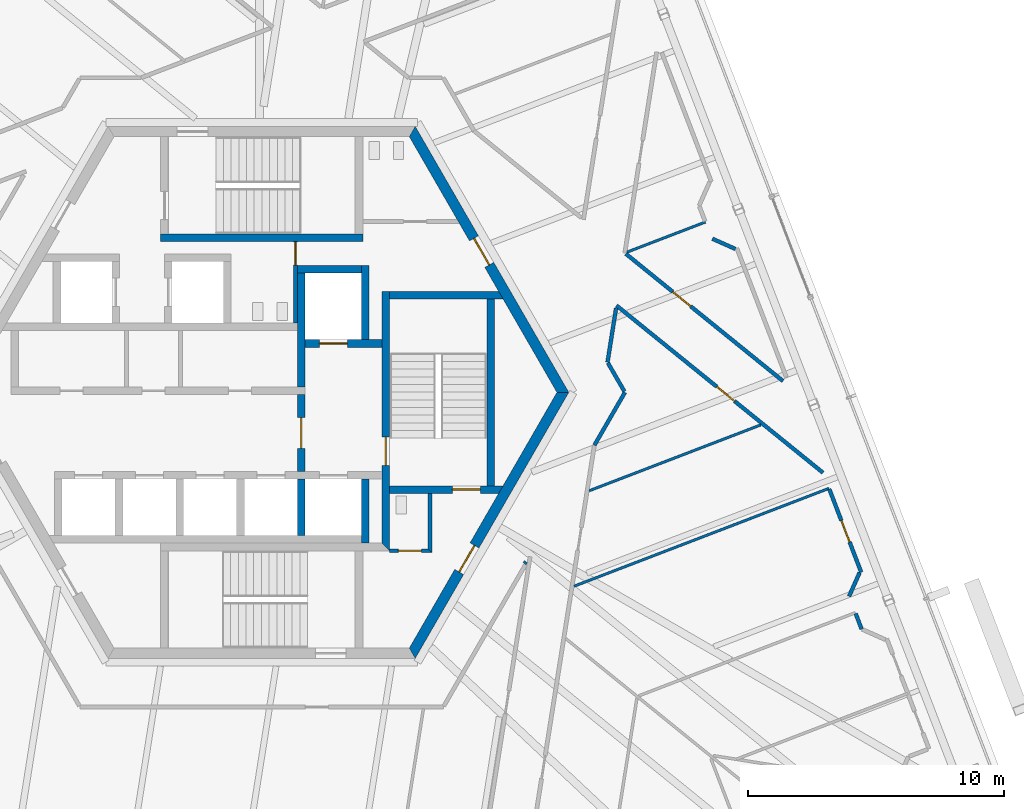
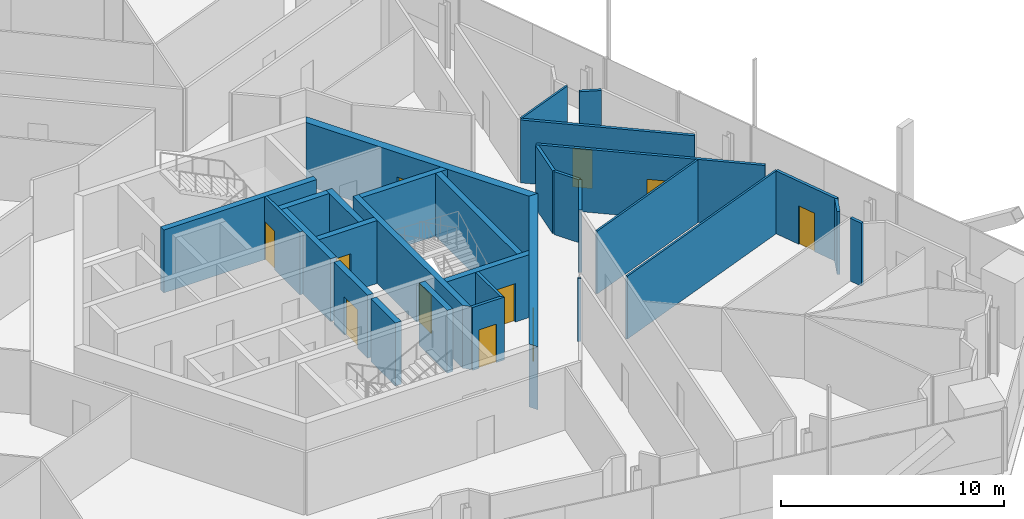
# One storey, part 14 of 23: 30 walls, 11 doors, 11 openings.
"""IFC4 building model written with IfcOpenShell, lengths in metres."""

from ifc_helpers import new_model, si_unit, direction, frame, frame_2d, origin, place, context, subcontext, project, spatial, polyline, rectangle, outline, extrude, source, transform, mapped, material, layer, layer_set, type_object, element, fill, save


model = new_model("IFC4")

# Units and contexts
model_context = context("Model", 3, precision=1e-05, world=origin(), true_north=direction((0.0, 1.0)))
body_context = subcontext(model_context, "Body", "Model", "MODEL_VIEW")
ifc_project = project(units=[si_unit("LENGTHUNIT", "METRE"), si_unit("AREAUNIT", "SQUARE_METRE"), si_unit("VOLUMEUNIT", "CUBIC_METRE"), si_unit("PLANEANGLEUNIT", "RADIAN"), si_unit("MASSUNIT", "GRAM", prefix="KILO")], contexts=[model_context])

# Site, building, storey
site_placement = place(None, origin())
site = spatial("IfcSite", under=ifc_project, at=site_placement, CompositionType="ELEMENT")
building_placement = place(site_placement, origin())
building = spatial("IfcBuilding", under=site, at=building_placement, Name="Triune Harvest Tower", CompositionType="ELEMENT")
storey_placement = place(building_placement, frame((0.0, 0.0, 167.699951171875)))
storey = spatial("IfcBuildingStorey", under=building, at=storey_placement, Name="L43", CompositionType="ELEMENT", Elevation=167.699951171875)

# Wall
ifc_material_1 = material(Name="Gypsum board on steel studs", Category="steel")
ifc_layer_1 = layer(ifc_material_1, 0.14990234375)
ifc_layer_set_1 = layer_set([ifc_layer_1], Name="Gypsum board on steel studs")
wall_type_1 = type_object("IfcWallType", Name="Fire Partition 150 mm", PredefinedType="PARTITIONING", material=ifc_layer_set_1)
wall_1_placement = place(storey_placement, frame((23.207763671875, -8.640380859375, 0.0), z_axis=(0.0, 0.0, 1.0), x_axis=(0.358077225815, -0.933691972951, 0.0)))
element("IfcWall", 1, at=wall_1_placement, inside=storey, type_object=wall_type_1, Name="Partition L43 016", PredefinedType="PARTITIONING", context=body_context, shape_type="SweptSolid", body=[
    extrude(rectangle(XDim=0.653076171875, YDim=0.14990234375, at=frame_2d((0.32666015625, 0.0))), origin(), (0.0, 0.0, 1.0), 3.43994140625),
])

# Wall, opening, door
wall_2_placement = place(storey_placement, frame((22.176513671875, -3.774658203125, 0.0), z_axis=(0.0, 0.0, 1.0), x_axis=(0.358294072162, -0.933608782014, 0.0)))
wall_2 = element("IfcWall", 2, at=wall_2_placement, inside=storey, type_object=wall_type_1, Name="Partition L43 022", PredefinedType="PARTITIONING", context=body_context, shape_type="SweptSolid", body=[
    extrude(rectangle(XDim=3.4873046875, YDim=0.14990234375, at=frame_2d((1.74365234375, 0.0))), origin(), (0.0, 0.0, 1.0), 3.43994140625),
])
opening_1_placement = place(wall_2_placement, frame((1.32373046875, 0.0, 0.0)))
opening_1 = element("IfcOpeningElement", 3, at=opening_1_placement, cuts=wall_2, Name="Opening L43-004", PredefinedType="OPENING", context=body_context, shape_type="SweptSolid", body=[
    extrude(rectangle(XDim=0.89990234375, YDim=2.10009765625, at=frame_2d((0.449951171875, 1.050048828125))), frame((0.0, 0.0849609375, 0.0), z_axis=(0.0, -1.0, 0.0), x_axis=(1.0, 0.0, 0.0)), (0.0, 0.0, 1.0), 0.169921875),
])
ifc_material_2 = material(Name="Timber and steel door set", Category="steel")
door_type_1 = type_object("IfcDoorType", Name="Single leaf door FD30 left hand 900 x 2100", OperationType="SINGLE_SWING_LEFT", PredefinedType="DOOR", material=ifc_material_2)
door_1_placement = place(opening_1_placement, origin())
door_1 = element("IfcDoor", 4, at=door_1_placement, inside=storey, type_object=door_type_1, Name="Door L43-004 Pantry 43.04", OperationType="SINGLE_SWING_LEFT", OverallHeight=2.10009765625, OverallWidth=0.89990234375, PredefinedType="DOOR", context=body_context, shape_type="SweptSolid", body=[
    extrude(rectangle(XDim=0.89990234375, YDim=2.10009765625, at=frame_2d((0.449951171875, 1.050048828125))), frame((0.0, 0.02490234375, 0.0), z_axis=(0.0, -1.0, 0.0), x_axis=(1.0, 0.0, 0.0)), (0.0, 0.0, 1.0), 0.050048828125),
])
fill(opening_1, door_1)

wall_3_placement = place(storey_placement, frame((13.864013671875, 3.393798828125, 0.0), z_axis=(0.0, 0.0, 1.0), x_axis=(0.777140815118, -0.629326746196, 0.0)))
wall_3 = element("IfcWall", 5, at=wall_3_placement, inside=storey, type_object=wall_type_1, Name="Partition L43 041", PredefinedType="PARTITIONING", context=body_context, shape_type="SweptSolid", body=[
    extrude(rectangle(XDim=10.38232421875, YDim=0.14990234375, at=frame_2d((5.191162109375, 0.0))), origin(), (0.0, 0.0, 1.0), 3.43994140625),
])
opening_2_placement = place(wall_3_placement, frame((5.035400390625, 0.0, 0.0)))
opening_2 = element("IfcOpeningElement", 6, at=opening_2_placement, cuts=wall_3, Name="Opening L43-005", PredefinedType="OPENING", context=body_context, shape_type="SweptSolid", body=[
    extrude(rectangle(XDim=0.89990234375, YDim=2.10009765625, at=frame_2d((0.449951171875, 1.050048828125))), frame((0.0, 0.0849609375, 0.0), z_axis=(0.0, -1.0, 0.0), x_axis=(1.0, 0.0, 0.0)), (0.0, 0.0, 1.0), 0.169921875),
])
door_2_placement = place(opening_2_placement, origin())
door_2 = element("IfcDoor", 7, at=door_2_placement, inside=storey, type_object=door_type_1, Name="Door L43-005 Pantry 43.05", OperationType="SINGLE_SWING_LEFT", OverallHeight=2.10009765625, OverallWidth=0.89990234375, PredefinedType="DOOR", context=body_context, shape_type="SweptSolid", body=[
    extrude(rectangle(XDim=0.89990234375, YDim=2.10009765625, at=frame_2d((0.449951171875, 1.050048828125))), frame((0.0, 0.02490234375, 0.0), z_axis=(0.0, -1.0, 0.0), x_axis=(1.0, 0.0, 0.0)), (0.0, 0.0, 1.0), 0.050048828125),
])
fill(opening_2, door_2)

wall_4_placement = place(storey_placement, frame((14.228271484375, 5.415283203125, 0.0), z_axis=(0.0, 0.0, 1.0), x_axis=(0.777122518115, -0.629349340064, 0.0)))
wall_4 = element("IfcWall", 8, at=wall_4_placement, inside=storey, type_object=wall_type_1, Name="Partition L43 045", PredefinedType="PARTITIONING", context=body_context, shape_type="SweptSolid", body=[
    extrude(rectangle(XDim=7.900390625, YDim=0.14990234375, at=frame_2d((3.9501953125, 0.0))), origin(), (0.0, 0.0, 1.0), 3.43994140625),
])
opening_3_placement = place(wall_4_placement, frame((2.36376953125, 0.0, 0.0)))
opening_3 = element("IfcOpeningElement", 9, at=opening_3_placement, cuts=wall_4, Name="Opening L43-006", PredefinedType="OPENING", context=body_context, shape_type="SweptSolid", body=[
    extrude(rectangle(XDim=0.89990234375, YDim=2.10009765625, at=frame_2d((0.449951171875, 1.050048828125))), frame((0.0, 0.0849609375, 0.0), z_axis=(0.0, -1.0, 0.0), x_axis=(1.0, 0.0, 0.0)), (0.0, 0.0, 1.0), 0.169921875),
])
door_3_placement = place(opening_3_placement, origin())
door_3 = element("IfcDoor", 10, at=door_3_placement, inside=storey, type_object=door_type_1, Name="Door L43-006 Print room 43.06", OperationType="SINGLE_SWING_LEFT", OverallHeight=2.10009765625, OverallWidth=0.89990234375, PredefinedType="DOOR", context=body_context, shape_type="SweptSolid", body=[
    extrude(rectangle(XDim=0.89990234375, YDim=2.10009765625, at=frame_2d((0.449951171875, 1.050048828125))), frame((0.0, 0.02490234375, 0.0), z_axis=(0.0, -1.0, 0.0), x_axis=(1.0, 0.0, 0.0)), (0.0, 0.0, 1.0), 0.050048828125),
])
fill(opening_3, door_3)

# Walls
wall_5_placement = place(storey_placement, frame((22.9501953125, -7.968994140625, 0.0), z_axis=(0.0, 0.0, 1.0), x_axis=(0.406808388385, 0.913513511197, 0.0)))
element("IfcWall", 11, at=wall_5_placement, inside=storey, type_object=wall_type_1, Name="Partition L43 127", PredefinedType="PARTITIONING", context=body_context, shape_type="SweptSolid", body=[
    extrude(rectangle(XDim=1.01416015625, YDim=0.14990234375, at=frame_2d((0.507080078125, 0.0))), origin(), (0.0, 0.0, 1.0), 3.43994140625),
])
wall_6_placement = place(storey_placement, frame((10.32958984375, -6.615234375, 0.0), z_axis=(0.0, 0.0, 1.0), x_axis=(-0.629270346667, -0.777186483931, 0.0)))
element("IfcWall", 12, at=wall_6_placement, inside=storey, type_object=wall_type_1, Name="Partition L43 144", PredefinedType="PARTITIONING", context=body_context, shape_type="SweptSolid", body=[
    extrude(rectangle(XDim=0.097412109375, YDim=0.14990234375, at=frame_2d((0.048828125, 0.0))), origin(), (0.0, 0.0, 1.0), 3.43994140625),
])
ifc_material_3 = material(Name="Gypsum board on steel studs", Category="steel")
ifc_layer_2 = layer(ifc_material_3, 0.10009765625)
ifc_layer_set_2 = layer_set([ifc_layer_2], Name="Gypsum board on steel studs")
wall_type_2 = type_object("IfcWallType", Name="Partition 100 mm", PredefinedType="PARTITIONING", material=ifc_layer_set_2)
wall_7_placement = place(storey_placement, frame((12.205810546875, -7.57373046875, 0.0), z_axis=(0.0, 0.0, 1.0), x_axis=(0.933588360997, 0.358347278782, 0.0)))
element("IfcWall", 13, at=wall_7_placement, inside=storey, type_object=wall_type_2, Name="Partition L43 085", PredefinedType="PARTITIONING", context=body_context, shape_type="SweptSolid", body=[
    extrude(rectangle(XDim=10.669677734375, YDim=0.10009765625, at=frame_2d((5.3349609375, 0.0))), origin(), (0.0, 0.0, 1.0), 3.43994140625),
])
wall_8_placement = place(storey_placement, frame((12.79638671875, -3.844482421875, 0.0), z_axis=(0.0, 0.0, 1.0), x_axis=(0.933583727979, 0.358359348772, 0.0)))
element("IfcWall", 14, at=wall_8_placement, inside=storey, type_object=wall_type_2, Name="Partition L43 086", PredefinedType="PARTITIONING", context=body_context, shape_type="SweptSolid", body=[
    extrude(rectangle(XDim=7.181396484375, YDim=0.10009765625, at=frame_2d((3.5908203125, 0.0))), origin(), (0.0, 0.0, 1.0), 3.43994140625),
])
wall_9_placement = place(storey_placement, frame((14.273193359375, 5.47900390625, 0.0), z_axis=(0.0, 0.0, 1.0), x_axis=(0.933598494983, 0.358320875983, 0.0)))
element("IfcWall", 15, at=wall_9_placement, inside=storey, type_object=wall_type_2, Name="Partition L43 089", PredefinedType="PARTITIONING", context=body_context, shape_type="SweptSolid", body=[
    extrude(rectangle(XDim=3.28125, YDim=0.10009765625, at=frame_2d((1.640625, 0.0))), origin(), (0.0, 0.0, 1.0), 3.43994140625),
])

# Wall, opening, door
ifc_material_4 = material(Name="Concrete 70 MPa", Category="concrete")
ifc_layer_3 = layer(ifc_material_4, 0.39990234375)
ifc_layer_set_3 = layer_set([ifc_layer_3], Name="Concrete 70 MPa")
wall_type_3 = type_object("IfcWallType", Name="Core wall 400", PredefinedType="SHEAR", material=ifc_layer_set_3)
shared_shape_1 = source(origin(), body_context, "Body", "SweptSolid", [
    extrude(outline(polyline([(-0.115478515625, -0.199951171875), (11.884521484375, -0.199951171875), (11.653564453125, 0.199951171875), (0.115478515625, 0.199951171875), (-0.115478515625, -0.199951171875)])), origin(), (0.0, 0.0, 1.0), 3.43994140625),
])
wall_10_placement = place(storey_placement, frame((11.76904296875, 0.0, 0.0), z_axis=(0.0, 0.0, 1.0), x_axis=(-0.499996592174, 0.866027371285, 0.0)))
wall_10 = element("IfcWall", 16, at=wall_10_placement, inside=storey, type_object=wall_type_3, Name="Hexagon 0 wall", PredefinedType="SHEAR", context=body_context, shape_type="MappedRepresentation", body=[
    mapped(shared_shape_1, transform((0.0, 0.0, 0.0), scale=1.0)),
])
opening_4_placement = place(wall_10_placement, frame((5.75048828125, 0.0, 0.0)))
opening_4 = element("IfcOpeningElement", 17, at=opening_4_placement, cuts=wall_10, Name="Opening CD-WCP", PredefinedType="OPENING", context=body_context, shape_type="SweptSolid", body=[
    extrude(rectangle(XDim=1.199951171875, YDim=2.10009765625, at=frame_2d((0.60009765625, 1.050048828125))), frame((0.0, 0.2099609375, 0.0), z_axis=(0.0, -1.0, 0.0), x_axis=(1.0, 0.0, 0.0)), (0.0, 0.0, 1.0), 0.419921875),
])
ifc_material_5 = material(Name="Steel S235", Category="steel")
door_type_2 = type_object("IfcDoorType", Name="Lobby door 1200 FD120", OperationType="SINGLE_SWING_LEFT", PredefinedType="DOOR", material=ifc_material_5)
door_4_placement = place(opening_4_placement, frame((1.199951171875, 0.0, 0.0), z_axis=(0.0, 0.0, 1.0), x_axis=(-1.0, 0.0, 0.0)))
door_4 = element("IfcDoor", 18, at=door_4_placement, inside=storey, type_object=door_type_2, Name="Door CD-WCP", OperationType="SINGLE_SWING_RIGHT", OverallHeight=2.10009765625, OverallWidth=1.199951171875, PredefinedType="DOOR", context=body_context, shape_type="SweptSolid", body=[
    extrude(rectangle(XDim=1.199951171875, YDim=2.10009765625, at=frame_2d((0.60009765625, 1.050048828125))), frame((0.0, 0.02490234375, 0.0), z_axis=(0.0, -1.0, 0.0), x_axis=(1.0, 0.0, 0.0)), (0.0, 0.0, 1.0), 0.050048828125),
])
fill(opening_4, door_4)

wall_11_placement = place(storey_placement, frame((5.884521484375, -10.1923828125, 0.0), z_axis=(0.0, 0.0, 1.0), x_axis=(0.499996592174, 0.866027371285, 0.0)))
wall_11 = element("IfcWall", 19, at=wall_11_placement, inside=storey, type_object=wall_type_3, Name="Hexagon 5 wall", PredefinedType="SHEAR", context=body_context, shape_type="MappedRepresentation", body=[
    mapped(shared_shape_1, transform((0.0, 0.0, 0.0), scale=1.0)),
])
opening_5_placement = place(wall_11_placement, frame((3.66455078125, 0.0, 0.0)))
opening_5 = element("IfcOpeningElement", 20, at=opening_5_placement, cuts=wall_11, Name="Opening CD-DP", PredefinedType="OPENING", context=body_context, shape_type="SweptSolid", body=[
    extrude(rectangle(XDim=1.199951171875, YDim=2.10009765625, at=frame_2d((0.60009765625, 1.050048828125))), frame((0.0, 0.2099609375, 0.0), z_axis=(0.0, -1.0, 0.0), x_axis=(1.0, 0.0, 0.0)), (0.0, 0.0, 1.0), 0.419921875),
])
ifc_material_6 = material(Name="Steel S235", Category="steel")
door_type_3 = type_object("IfcDoorType", Name="Stair door 1200 FD120", OperationType="SINGLE_SWING_LEFT", PredefinedType="DOOR", material=ifc_material_6)
door_5_placement = place(opening_5_placement, frame((1.199951171875, 0.0, 0.0), z_axis=(0.0, 0.0, 1.0), x_axis=(-1.0, 0.0, 0.0)))
door_5 = element("IfcDoor", 21, at=door_5_placement, inside=storey, type_object=door_type_3, Name="Door CD-DP", OperationType="SINGLE_SWING_RIGHT", OverallHeight=2.10009765625, OverallWidth=1.199951171875, PredefinedType="DOOR", context=body_context, shape_type="SweptSolid", body=[
    extrude(rectangle(XDim=1.199951171875, YDim=2.10009765625, at=frame_2d((0.60009765625, 1.050048828125))), frame((0.0, 0.02490234375, 0.0), z_axis=(0.0, -1.0, 0.0), x_axis=(1.0, 0.0, 0.0)), (0.0, 0.0, 1.0), 0.050048828125),
])
fill(opening_5, door_5)

# Walls
ifc_material_7 = material(Name="Concrete 70 MPa", Category="concrete")
ifc_layer_4 = layer(ifc_material_7, 0.300048828125)
ifc_layer_set_4 = layer_set([ifc_layer_4], Name="Concrete 70 MPa")
wall_type_4 = type_object("IfcWallType", Name="Core wall 300", PredefinedType="SHEAR", material=ifc_layer_set_4)
shared_shape_2 = source(origin(), body_context, "Body", "SweptSolid", [
    extrude(rectangle(XDim=2.5, YDim=0.300048828125, at=frame_2d((1.25, 0.0))), origin(), (0.0, 0.0, 1.0), 3.43994140625),
])
for number, where, z_axis, x_axis, name in (
    (22, (1.39990234375, 4.81005859375, 0.0), (0.0, 0.0, 1.0), (1.0, 0.0, 0.0), "Ff1 back wall"),
    (23, (4.050048828125, -5.889892578125, 0.0), (0.0, 0.0, 1.0), (0.0, 1.0, 0.0), "Ff2 east wall"),
):
    element("IfcWall", number, at=place(storey_placement, frame(where, z_axis=z_axis, x_axis=x_axis)), inside=storey, type_object=wall_type_4, Name=name, PredefinedType="SHEAR", context=body_context, shape_type="MappedRepresentation", body=[
        mapped(shared_shape_2, transform((0.0, 0.0, 0.0), scale=1.0)),
    ])
shared_shape_3 = source(origin(), body_context, "Body", "SweptSolid", [
    extrude(rectangle(XDim=4.449951171875, YDim=0.300048828125, at=frame_2d((2.22509765625, 0.0))), origin(), (0.0, 0.0, 1.0), 3.43994140625),
])
wall_12_placement = place(storey_placement, frame((1.550048828125, 0.2099609375, 0.0), z_axis=(0.0, 0.0, 1.0), x_axis=(0.0, 1.0, 0.0)))
element("IfcWall", 24, at=wall_12_placement, inside=storey, type_object=wall_type_4, Name="Ff1 west wall", PredefinedType="SHEAR", context=body_context, shape_type="MappedRepresentation", body=[
    mapped(shared_shape_3, transform((0.0, 0.0, 0.0), scale=1.0)),
])

# Wall, opening, door
shared_shape_4 = source(origin(), body_context, "Body", "SweptSolid", [
    extrude(rectangle(XDim=3.0, YDim=0.300048828125, at=frame_2d((1.5, 0.0))), origin(), (0.0, 0.0, 1.0), 3.43994140625),
])
wall_13_placement = place(storey_placement, frame((1.699951171875, 1.909912109375, 0.0), z_axis=(0.0, 0.0, 1.0), x_axis=(1.0, 0.0, 0.0)))
wall_13 = element("IfcWall", 25, at=wall_13_placement, inside=storey, type_object=wall_type_4, Name="Ff1 front wall", PredefinedType="SHEAR", context=body_context, shape_type="MappedRepresentation", body=[
    mapped(shared_shape_4, transform((0.0, 0.0, 0.0), scale=1.0)),
])
opening_6_placement = place(wall_13_placement, frame((0.550048828125, 0.0, 0.0)))
opening_6 = element("IfcOpeningElement", 26, at=opening_6_placement, cuts=wall_13, Name="Opening LD-FF1-43", PredefinedType="OPENING", context=body_context, shape_type="SweptSolid", body=[
    extrude(rectangle(XDim=1.10009765625, YDim=2.10009765625, at=frame_2d((0.550048828125, 1.050048828125))), frame((0.0, 0.16015625, 0.0), z_axis=(0.0, -1.0, 0.0), x_axis=(1.0, 0.0, 0.0)), (0.0, 0.0, 1.0), 0.320068359375),
])
ifc_material_8 = material(Name="Stainless steel AISI 304", Category="steel")
door_type_4 = type_object("IfcDoorType", Name="Landing door 1100 x 2100", OperationType="DOUBLE_DOOR_SLIDING", PredefinedType="DOOR", material=ifc_material_8)
door_6_placement = place(opening_6_placement, origin())
door_6 = element("IfcDoor", 27, at=door_6_placement, inside=storey, type_object=door_type_4, Name="Door LD-FF1-43", OperationType="DOUBLE_DOOR_SLIDING", OverallHeight=2.10009765625, OverallWidth=1.10009765625, PredefinedType="DOOR", context=body_context, shape_type="SweptSolid", body=[
    extrude(rectangle(XDim=1.10009765625, YDim=2.10009765625, at=frame_2d((0.550048828125, 1.050048828125))), frame((0.0, 0.02490234375, 0.0), z_axis=(0.0, -1.0, 0.0), x_axis=(1.0, 0.0, 0.0)), (0.0, 0.0, 1.0), 0.050048828125),
])
fill(opening_6, door_6)

wall_14_placement = place(storey_placement, frame((1.550048828125, -3.090087890625, 0.0), z_axis=(0.0, 0.0, 1.0), x_axis=(0.0, 1.0, 0.0)))
wall_14 = element("IfcWall", 28, at=wall_14_placement, inside=storey, type_object=wall_type_4, Name="Ff lobby west wall", PredefinedType="SHEAR", context=body_context, shape_type="MappedRepresentation", body=[
    mapped(shared_shape_4, transform((0.0, 0.0, 0.0), scale=1.0)),
])
opening_7_placement = place(wall_14_placement, frame((0.89990234375, 0.0, 0.0)))
opening_7 = element("IfcOpeningElement", 29, at=opening_7_placement, cuts=wall_14, Name="Opening CD-FL", PredefinedType="OPENING", context=body_context, shape_type="SweptSolid", body=[
    extrude(rectangle(XDim=1.199951171875, YDim=2.10009765625, at=frame_2d((0.60009765625, 1.050048828125))), frame((0.0, 0.16015625, 0.0), z_axis=(0.0, -1.0, 0.0), x_axis=(1.0, 0.0, 0.0)), (0.0, 0.0, 1.0), 0.320068359375),
])
ifc_material_9 = material(Name="Steel S235", Category="steel")
door_type_5 = type_object("IfcDoorType", Name="Firefighters' lobby door 1200 FD120", OperationType="SINGLE_SWING_LEFT", PredefinedType="DOOR", material=ifc_material_9)
door_7_placement = place(opening_7_placement, frame((1.199951171875, 0.0, 0.0), z_axis=(0.0, 0.0, 1.0), x_axis=(-1.0, 0.0, 0.0)))
door_7 = element("IfcDoor", 30, at=door_7_placement, inside=storey, type_object=door_type_5, Name="Door CD-FL", OperationType="SINGLE_SWING_RIGHT", OverallHeight=2.10009765625, OverallWidth=1.199951171875, PredefinedType="DOOR", context=body_context, shape_type="SweptSolid", body=[
    extrude(rectangle(XDim=1.199951171875, YDim=2.10009765625, at=frame_2d((0.60009765625, 1.050048828125))), frame((0.0, 0.02490234375, 0.0), z_axis=(0.0, -1.0, 0.0), x_axis=(1.0, 0.0, 0.0)), (0.0, 0.0, 1.0), 0.050048828125),
])
fill(opening_7, door_7)

# Walls
shared_shape_5 = source(origin(), body_context, "Body", "SweptSolid", [
    extrude(rectangle(XDim=2.89990234375, YDim=0.300048828125, at=frame_2d((1.449951171875, 0.0))), origin(), (0.0, 0.0, 1.0), 3.43994140625),
])
wall_15_placement = place(storey_placement, frame((4.050048828125, 2.06005859375, 0.0), z_axis=(0.0, 0.0, 1.0), x_axis=(0.0, 1.0, 0.0)))
element("IfcWall", 31, at=wall_15_placement, inside=storey, type_object=wall_type_4, Name="Ff1 east wall", PredefinedType="SHEAR", context=body_context, shape_type="MappedRepresentation", body=[
    mapped(shared_shape_5, transform((0.0, 0.0, 0.0), scale=1.0)),
])
shared_shape_6 = source(origin(), body_context, "Body", "SweptSolid", [
    extrude(rectangle(XDim=2.2001953125, YDim=0.300048828125, at=frame_2d((1.10009765625, 0.0))), origin(), (0.0, 0.0, 1.0), 3.43994140625),
])
wall_16_placement = place(storey_placement, frame((1.550048828125, -5.590087890625, 0.0), z_axis=(0.0, 0.0, 1.0), x_axis=(0.0, 1.0, 0.0)))
element("IfcWall", 32, at=wall_16_placement, inside=storey, type_object=wall_type_4, Name="Ff2 west wall", PredefinedType="SHEAR", context=body_context, shape_type="MappedRepresentation", body=[
    mapped(shared_shape_6, transform((0.0, 0.0, 0.0), scale=1.0)),
])

# Wall, opening, door
shared_shape_7 = source(origin(), body_context, "Body", "SweptSolid", [
    extrude(outline(polyline([(-0.14990234375, -0.14990234375), (9.989990234375, -0.14990234375), (9.989990234375, 0.14990234375), (0.14990234375, 0.14990234375), (-0.14990234375, -0.14990234375)])), origin(), (0.0, 0.0, 1.0), 3.43994140625),
])
wall_17_placement = place(storey_placement, frame((4.85009765625, -6.0400390625, 0.0), z_axis=(0.0, 0.0, 1.0), x_axis=(0.0, 1.0, 0.0)))
wall_17 = element("IfcWall", 33, at=wall_17_placement, inside=storey, type_object=wall_type_4, Name="Stair e west wall", PredefinedType="SHEAR", context=body_context, shape_type="MappedRepresentation", body=[
    mapped(shared_shape_7, transform((0.0, 0.0, 0.0), scale=1.0)),
])
opening_8_placement = place(wall_17_placement, frame((3.18994140625, 0.0, 0.0)))
opening_8 = element("IfcOpeningElement", 34, at=opening_8_placement, cuts=wall_17, Name="Opening CD-S3L", PredefinedType="OPENING", context=body_context, shape_type="SweptSolid", body=[
    extrude(rectangle(XDim=1.10009765625, YDim=2.10009765625, at=frame_2d((0.550048828125, 1.050048828125))), frame((0.0, 0.16015625, 0.0), z_axis=(0.0, -1.0, 0.0), x_axis=(1.0, 0.0, 0.0)), (0.0, 0.0, 1.0), 0.320068359375),
])
ifc_material_10 = material(Name="Steel S235", Category="steel")
door_type_6 = type_object("IfcDoorType", Name="Stair door 1100 FD120", OperationType="SINGLE_SWING_LEFT", PredefinedType="DOOR", material=ifc_material_10)
door_8_placement = place(opening_8_placement, frame((1.10009765625, 0.0, 0.0), z_axis=(0.0, 0.0, 1.0), x_axis=(-1.0, 0.0, 0.0)))
door_8 = element("IfcDoor", 35, at=door_8_placement, inside=storey, type_object=door_type_6, Name="Door CD-S3L", OperationType="SINGLE_SWING_RIGHT", OverallHeight=2.10009765625, OverallWidth=1.10009765625, PredefinedType="DOOR", context=body_context, shape_type="SweptSolid", body=[
    extrude(rectangle(XDim=1.10009765625, YDim=2.10009765625, at=frame_2d((0.550048828125, 1.050048828125))), frame((0.0, 0.02490234375, 0.0), z_axis=(0.0, -1.0, 0.0), x_axis=(1.0, 0.0, 0.0)), (0.0, 0.0, 1.0), 0.050048828125),
])
fill(opening_8, door_8)

# Wall
shared_shape_8 = source(origin(), body_context, "Body", "SweptSolid", [
    extrude(outline(polyline([(0.0, -0.14990234375), (0.0, 0.14990234375), (4.260009765625, 0.14990234375), (4.43310546875, -0.14990234375), (0.0, -0.14990234375)])), origin(), (0.0, 0.0, 1.0), 3.43994140625),
])
wall_18_placement = place(storey_placement, frame((5.0, 3.800048828125, 0.0), z_axis=(0.0, 0.0, 1.0), x_axis=(1.0, 0.0, 0.0)))
element("IfcWall", 36, at=wall_18_placement, inside=storey, type_object=wall_type_4, Name="Stair e north wall", PredefinedType="SHEAR", context=body_context, shape_type="MappedRepresentation", body=[
    mapped(shared_shape_8, transform((0.0, 0.0, 0.0), scale=1.0)),
])

# Wall, opening, door
shared_shape_9 = source(origin(), body_context, "Body", "SweptSolid", [
    extrude(outline(polyline([(0.0, -0.14990234375), (0.0, 0.14990234375), (4.43310546875, 0.14990234375), (4.260009765625, -0.14990234375), (0.0, -0.14990234375)])), origin(), (0.0, 0.0, 1.0), 3.43994140625),
])
wall_19_placement = place(storey_placement, frame((5.0, -3.800048828125, 0.0), z_axis=(0.0, 0.0, 1.0), x_axis=(1.0, 0.0, 0.0)))
wall_19 = element("IfcWall", 37, at=wall_19_placement, inside=storey, type_object=wall_type_4, Name="Stair e south wall", PredefinedType="SHEAR", context=body_context, shape_type="MappedRepresentation", body=[
    mapped(shared_shape_9, transform((0.0, 0.0, 0.0), scale=1.0)),
])
opening_9_placement = place(wall_19_placement, frame((2.449951171875, 0.0, 0.0)))
opening_9 = element("IfcOpeningElement", 38, at=opening_9_placement, cuts=wall_19, Name="Opening CD-S3D", PredefinedType="OPENING", context=body_context, shape_type="SweptSolid", body=[
    extrude(rectangle(XDim=1.10009765625, YDim=2.10009765625, at=frame_2d((0.550048828125, 1.050048828125))), frame((0.0, 0.16015625, 0.0), z_axis=(0.0, -1.0, 0.0), x_axis=(1.0, 0.0, 0.0)), (0.0, 0.0, 1.0), 0.320068359375),
])
door_9_placement = place(opening_9_placement, frame((1.10009765625, 0.0, 0.0), z_axis=(0.0, 0.0, 1.0), x_axis=(-1.0, 0.0, 0.0)))
door_9 = element("IfcDoor", 39, at=door_9_placement, inside=storey, type_object=door_type_6, Name="Door CD-S3D", OperationType="SINGLE_SWING_RIGHT", OverallHeight=2.10009765625, OverallWidth=1.10009765625, PredefinedType="DOOR", context=body_context, shape_type="SweptSolid", body=[
    extrude(rectangle(XDim=1.10009765625, YDim=2.10009765625, at=frame_2d((0.550048828125, 1.050048828125))), frame((0.0, 0.02490234375, 0.0), z_axis=(0.0, -1.0, 0.0), x_axis=(1.0, 0.0, 0.0)), (0.0, 0.0, 1.0), 0.050048828125),
])
fill(opening_9, door_9)

# Walls
shared_shape_10 = source(origin(), body_context, "Body", "SweptSolid", [
    extrude(rectangle(XDim=7.2998046875, YDim=0.300048828125, at=frame_2d((3.64990234375, 0.0))), origin(), (0.0, 0.0, 1.0), 3.43994140625),
])
wall_20_placement = place(storey_placement, frame((8.949951171875, -3.64990234375, 0.0), z_axis=(0.0, 0.0, 1.0), x_axis=(0.0, 1.0, 0.0)))
element("IfcWall", 40, at=wall_20_placement, inside=storey, type_object=wall_type_4, Name="Stair e east wall", PredefinedType="SHEAR", context=body_context, shape_type="MappedRepresentation", body=[
    mapped(shared_shape_10, transform((0.0, 0.0, 0.0), scale=1.0)),
])
shared_shape_11 = source(origin(), body_context, "Body", "SweptSolid", [
    extrude(rectangle(XDim=7.89990234375, YDim=0.300048828125, at=frame_2d((3.949951171875, 0.0))), origin(), (0.0, 0.0, 1.0), 3.43994140625),
])
wall_21_placement = place(storey_placement, frame((-3.949951171875, 6.0400390625, 0.0), z_axis=(0.0, 0.0, 1.0), x_axis=(1.0, 0.0, 0.0)))
element("IfcWall", 41, at=wall_21_placement, inside=storey, type_object=wall_type_4, Name="Stair n south wall", PredefinedType="SHEAR", context=body_context, shape_type="MappedRepresentation", body=[
    mapped(shared_shape_11, transform((0.0, 0.0, 0.0), scale=1.0)),
])

# Wall, opening, door
ifc_material_11 = material(Name="Concrete masonry unit", Category="masonry")
ifc_layer_5 = layer(ifc_material_11, 0.14990234375)
ifc_layer_set_5 = layer_set([ifc_layer_5], Name="Concrete masonry unit")
wall_type_5 = type_object("IfcWallType", Name="Block partition 150 unrated", PredefinedType="PARTITIONING", material=ifc_layer_set_5)
shared_shape_12 = source(origin(), body_context, "Body", "SweptSolid", [
    extrude(rectangle(XDim=3.179931640625, YDim=0.14990234375, at=frame_2d((1.58984375, 0.0))), origin(), (0.0, 0.0, 1.0), 3.43994140625),
])
wall_22_placement = place(storey_placement, frame((1.324951171875, 2.7099609375, 0.0), z_axis=(0.0, 0.0, 1.0), x_axis=(0.0, 1.0, 0.0)))
wall_22 = element("IfcWall", 42, at=wall_22_placement, inside=storey, type_object=wall_type_5, Name="Wc men east wall", PredefinedType="PARTITIONING", context=body_context, shape_type="MappedRepresentation", body=[
    mapped(shared_shape_12, transform((0.0, 0.0, 0.0), scale=1.0)),
])
opening_10_placement = place(wall_22_placement, frame((2.264892578125, 0.0, 0.0)))
opening_10 = element("IfcOpeningElement", 43, at=opening_10_placement, cuts=wall_22, Name="Opening CD-WM", PredefinedType="OPENING", context=body_context, shape_type="SweptSolid", body=[
    extrude(rectangle(XDim=0.89990234375, YDim=2.10009765625, at=frame_2d((0.449951171875, 1.050048828125))), frame((0.0, 0.0849609375, 0.0), z_axis=(0.0, -1.0, 0.0), x_axis=(1.0, 0.0, 0.0)), (0.0, 0.0, 1.0), 0.169921875),
])
ifc_material_12 = material(Name="Timber C24", Category="wood")
door_type_7 = type_object("IfcDoorType", Name="WC door 900", OperationType="SINGLE_SWING_LEFT", PredefinedType="DOOR", material=ifc_material_12)
door_10_placement = place(opening_10_placement, origin())
door_10 = element("IfcDoor", 44, at=door_10_placement, inside=storey, type_object=door_type_7, Name="Door CD-WM", OperationType="SINGLE_SWING_LEFT", OverallHeight=2.10009765625, OverallWidth=0.89990234375, PredefinedType="DOOR", context=body_context, shape_type="SweptSolid", body=[
    extrude(rectangle(XDim=0.89990234375, YDim=2.10009765625, at=frame_2d((0.449951171875, 1.050048828125))), frame((0.0, 0.02490234375, 0.0), z_axis=(0.0, -1.0, 0.0), x_axis=(1.0, 0.0, 0.0)), (0.0, 0.0, 1.0), 0.050048828125),
])
fill(opening_10, door_10)

shared_shape_13 = source(origin(), body_context, "Body", "SweptSolid", [
    extrude(outline(polyline([(0.0, -0.074951171875), (1.64990234375, -0.074951171875), (1.5, 0.074951171875), (0.0, 0.074951171875), (0.0, -0.074951171875)])), origin(), (0.0, 0.0, 1.0), 3.43994140625),
])
wall_23_placement = place(storey_placement, frame((5.0, -6.18994140625, 0.0), z_axis=(0.0, 0.0, 1.0), x_axis=(1.0, 0.0, 0.0)))
wall_23 = element("IfcWall", 45, at=wall_23_placement, inside=storey, type_object=wall_type_5, Name="Wc acc south wall", PredefinedType="PARTITIONING", context=body_context, shape_type="MappedRepresentation", body=[
    mapped(shared_shape_13, transform((0.0, 0.0, 0.0), scale=1.0)),
])
opening_11_placement = place(wall_23_placement, frame((0.33740234375, 0.0, 0.0)))
opening_11 = element("IfcOpeningElement", 46, at=opening_11_placement, cuts=wall_23, Name="Opening CD-WA", PredefinedType="OPENING", context=body_context, shape_type="SweptSolid", body=[
    extrude(rectangle(XDim=0.89990234375, YDim=2.10009765625, at=frame_2d((0.449951171875, 1.050048828125))), frame((0.0, 0.0849609375, 0.0), z_axis=(0.0, -1.0, 0.0), x_axis=(1.0, 0.0, 0.0)), (0.0, 0.0, 1.0), 0.169921875),
])
door_11_placement = place(opening_11_placement, origin())
door_11 = element("IfcDoor", 47, at=door_11_placement, inside=storey, type_object=door_type_7, Name="Door CD-WA", OperationType="SINGLE_SWING_LEFT", OverallHeight=2.10009765625, OverallWidth=0.89990234375, PredefinedType="DOOR", context=body_context, shape_type="SweptSolid", body=[
    extrude(rectangle(XDim=0.89990234375, YDim=2.10009765625, at=frame_2d((0.449951171875, 1.050048828125))), frame((0.0, 0.02490234375, 0.0), z_axis=(0.0, -1.0, 0.0), x_axis=(1.0, 0.0, 0.0)), (0.0, 0.0, 1.0), 0.050048828125),
])
fill(opening_11, door_11)

# Walls
shared_shape_14 = source(origin(), body_context, "Body", "SweptSolid", [
    extrude(outline(polyline([(-0.074951171875, -0.074951171875), (2.239990234375, -0.074951171875), (2.239990234375, 0.074951171875), (0.074951171875, 0.074951171875), (-0.074951171875, -0.074951171875)])), origin(), (0.0, 0.0, 1.0), 3.43994140625),
])
wall_24_placement = place(storey_placement, frame((6.574951171875, -6.18994140625, 0.0), z_axis=(0.0, 0.0, 1.0), x_axis=(0.0, 1.0, 0.0)))
element("IfcWall", 48, at=wall_24_placement, inside=storey, type_object=wall_type_5, Name="Wc acc east wall", PredefinedType="PARTITIONING", context=body_context, shape_type="MappedRepresentation", body=[
    mapped(shared_shape_14, transform((0.0, 0.0, 0.0), scale=1.0)),
])
shared_shape_15 = source(origin(), body_context, "Body", "SweptSolid", [
    extrude(rectangle(XDim=1.291259765625, YDim=0.14990234375, at=frame_2d((0.6455078125, 0.0))), origin(), (0.0, 0.0, 1.0), 3.43994140625),
])
wall_25_placement = place(storey_placement, frame((13.5283203125, 1.1533203125, 0.0), z_axis=(0.0, 0.0, 1.0), x_axis=(0.499880661532, -0.866094292919, 0.0)))
element("IfcWall", 49, at=wall_25_placement, inside=storey, type_object=wall_type_1, Name="Partition L43 026", PredefinedType="PARTITIONING", context=body_context, shape_type="MappedRepresentation", body=[
    mapped(shared_shape_15, transform((0.0, 0.0, 0.0), scale=1.0)),
])
shared_shape_16 = source(origin(), body_context, "Body", "SweptSolid", [
    extrude(rectangle(XDim=2.132568359375, YDim=0.14990234375, at=frame_2d((1.06640625, 0.0))), origin(), (0.0, 0.0, 1.0), 3.43994140625),
])
wall_26_placement = place(storey_placement, frame((13.51318359375, 1.178955078125, 0.0), z_axis=(0.0, 0.0, 1.0), x_axis=(0.156374054325, 0.987697906819, 0.0)))
element("IfcWall", 50, at=wall_26_placement, inside=storey, type_object=wall_type_1, Name="Partition L43 134", PredefinedType="PARTITIONING", context=body_context, shape_type="MappedRepresentation", body=[
    mapped(shared_shape_16, transform((0.0, 0.0, 0.0), scale=1.0)),
])
shared_shape_17 = source(origin(), body_context, "Body", "SweptSolid", [
    extrude(rectangle(XDim=0.98388671875, YDim=0.14990234375, at=frame_2d((0.491943359375, 0.0))), origin(), (0.0, 0.0, 1.0), 3.43994140625),
])
wall_27_placement = place(storey_placement, frame((17.60986328125, 6.00244140625, 0.0), z_axis=(0.0, 0.0, 1.0), x_axis=(0.913576065366, -0.406667890042, 0.0)))
element("IfcWall", 51, at=wall_27_placement, inside=storey, type_object=wall_type_1, Name="Partition L43 051", PredefinedType="PARTITIONING", context=body_context, shape_type="MappedRepresentation", body=[
    mapped(shared_shape_17, transform((0.0, 0.0, 0.0), scale=1.0)),
])
shared_shape_18 = source(origin(), body_context, "Body", "SweptSolid", [
    extrude(rectangle(XDim=2.38037109375, YDim=0.14990234375, at=frame_2d((1.190185546875, 0.0))), origin(), (0.0, 0.0, 1.0), 3.43994140625),
])
wall_28_placement = place(storey_placement, frame((13.003662109375, -2.0615234375, 0.0), z_axis=(0.0, 0.0, 1.0), x_axis=(0.499988794591, 0.866031873134, 0.0)))
element("IfcWall", 52, at=wall_28_placement, inside=storey, type_object=wall_type_1, Name="Partition L43 123", PredefinedType="PARTITIONING", context=body_context, shape_type="MappedRepresentation", body=[
    mapped(shared_shape_18, transform((0.0, 0.0, 0.0), scale=1.0)),
])

save(model, "model.ifc")
